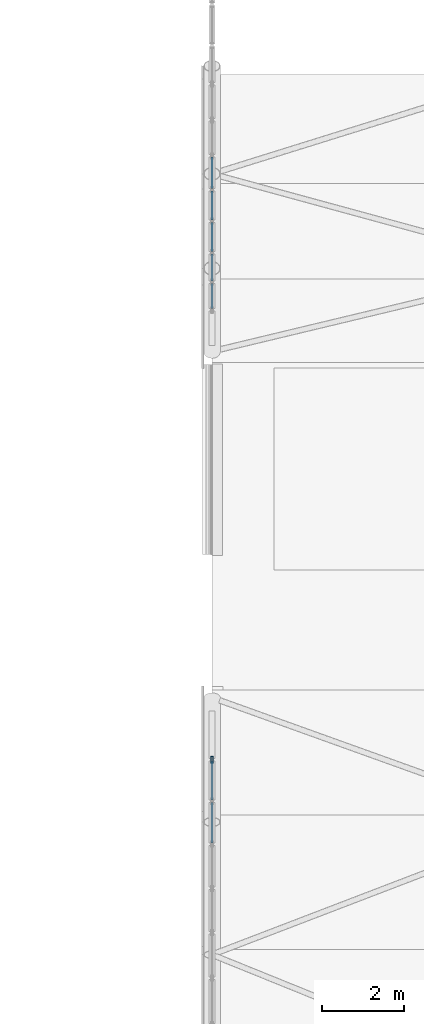
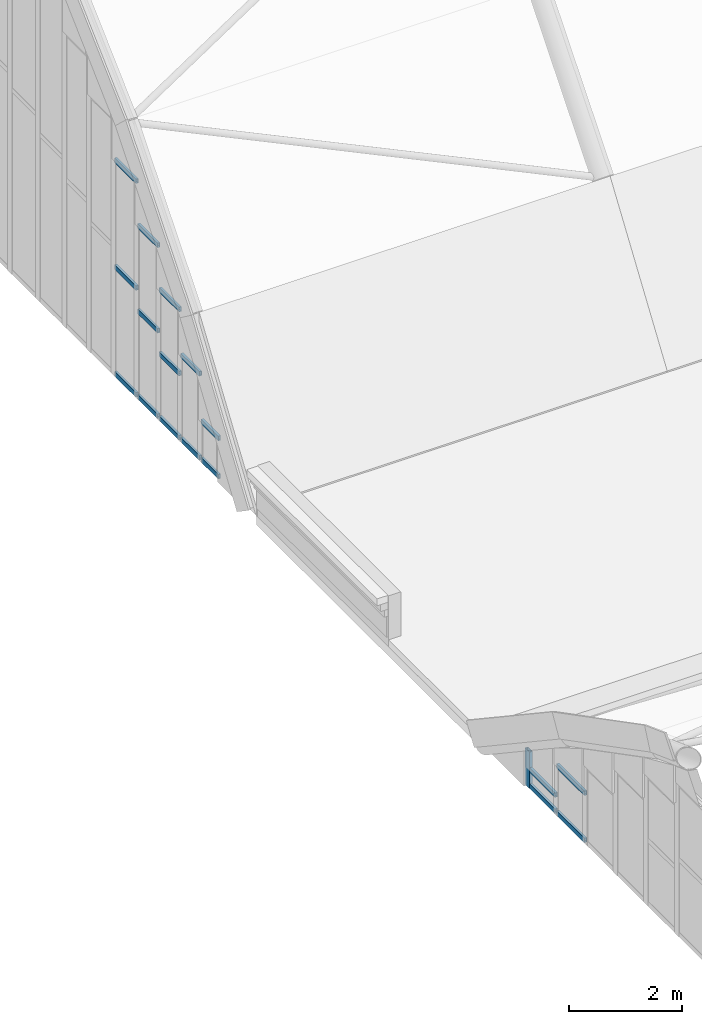
# One storey, part 46 of 77: 18 members, 2 elements without a shape of their own.
"""IFC4 building model written with IfcOpenShell, lengths in metres."""

from ifc_helpers import new_model, si_unit, direction, frame, origin, origin_2d, place, context, subcontext, project, spatial, hollow_rectangle, extrude, material, material_profile, profile_set, type_object, element, aggregate, save


model = new_model("IFC4")

# Units and contexts
model_context = context("Model", 3, precision=1e-05, world=origin(), true_north=direction((0.0, 1.0)))
body_context = subcontext(model_context, "Body", "Model", "MODEL_VIEW")
ifc_project = project(units=[si_unit("LENGTHUNIT", "METRE"), si_unit("AREAUNIT", "SQUARE_METRE"), si_unit("VOLUMEUNIT", "CUBIC_METRE"), si_unit("PLANEANGLEUNIT", "RADIAN"), si_unit("MASSUNIT", "GRAM", prefix="KILO")], contexts=[model_context])

# Site, building, storey
site_placement = place(None, origin())
site = spatial("IfcSite", under=ifc_project, at=site_placement, CompositionType="ELEMENT")
building_placement = place(site_placement, origin())
building = spatial("IfcBuilding", under=site, at=building_placement, Name="Catenary Quay Ferry Terminal", CompositionType="ELEMENT")
storey_placement = place(building_placement, frame((0.0, 0.0, 10.800048828125)))
storey = spatial("IfcBuildingStorey", under=building, at=storey_placement, Name="L02", CompositionType="ELEMENT", Elevation=10.800048828125)

# Curtain wall, members
ifc_material_1 = material(Name="Aluminium and glass", Category="aluminium")
curtain_wall_type = type_object("IfcCurtainWallType", Name="CWA", PredefinedType="NOTDEFINED", material=ifc_material_1)
curtain_wall_1_placement = place(storey_placement, origin())
curtain_wall_1 = element("IfcCurtainWall", 1, at=curtain_wall_1_placement, inside=storey, type_object=curtain_wall_type, Name="Arch arrivals hall curtain wall CW5", PredefinedType="NOTDEFINED")
ifc_material_2 = material(Name="Aluminium", Category="aluminium")
ifc_material_profile_1 = material_profile(ifc_material_2, hollow_rectangle(XDim=0.06005859375, YDim=0.159912109375, WallThickness=0.006103515625, at=origin_2d()), Name="MU5")
ifc_profile_set_1 = profile_set([ifc_material_profile_1], Name="Aluminium")
member_type_1 = type_object("IfcMemberType", Name="MU5", PredefinedType="MULLION", material=ifc_profile_set_1)
member_1_placement = place(storey_placement, frame((25.199951171875, 99.291015625, 0.0), z_axis=(0.0, 0.0, 1.0), x_axis=(-1.0, 0.0, 0.0)))
member_1 = element("IfcMember", 2, at=member_1_placement, type_object=member_type_1, Name="CW5 mullion 28", PredefinedType="MULLION", context=body_context, shape_type="SweptSolid", body=[
    extrude(hollow_rectangle(XDim=0.06005859375, YDim=0.159912109375, WallThickness=0.006103515625, at=origin_2d()), origin(), (0.0, 0.0, 1.0), 0.786376953125),
])
ifc_material_3 = material(Name="Aluminium", Category="aluminium")
ifc_material_profile_2 = material_profile(ifc_material_3, hollow_rectangle(XDim=0.050048828125, YDim=0.10009765625, WallThickness=0.00390625, at=origin_2d()), Name="TR4")
ifc_profile_set_2 = profile_set([ifc_material_profile_2], Name="Aluminium")
member_type_2 = type_object("IfcMemberType", Name="TR4", PredefinedType="USERDEFINED", material=ifc_profile_set_2)
member_2_placement = place(storey_placement, frame((25.199951171875, 97.275390625, 0.050048828125), z_axis=(0.0, 1.0, 0.0), x_axis=(-1.0, 0.0, 0.0)))
member_2 = element("IfcMember", 3, at=member_2_placement, type_object=member_type_2, Name="CW5 transom 26.1", ObjectType="TRANSOM", PredefinedType="USERDEFINED", context=body_context, shape_type="SweptSolid", body=[
    extrude(hollow_rectangle(XDim=0.050048828125, YDim=0.10009765625, WallThickness=0.00390625, at=origin_2d()), origin(), (0.0, 0.0, 1.0), 0.9794921875),
])
member_3_placement = place(storey_placement, frame((25.199951171875, 97.275390625, 1.0673828125), z_axis=(0.0, 1.0, 0.0), x_axis=(-1.0, 0.0, 0.0)))
member_3 = element("IfcMember", 4, at=member_3_placement, type_object=member_type_2, Name="CW5 transom 26.2", ObjectType="TRANSOM", PredefinedType="USERDEFINED", context=body_context, shape_type="SweptSolid", body=[
    extrude(hollow_rectangle(XDim=0.050048828125, YDim=0.10009765625, WallThickness=0.00390625, at=origin_2d()), origin(), (0.0, 0.0, 1.0), 0.9794921875),
])
member_4_placement = place(storey_placement, frame((25.199951171875, 98.31494140625, 0.050048828125), z_axis=(0.0, 1.0, 0.0), x_axis=(-1.0, 0.0, 0.0)))
member_4 = element("IfcMember", 5, at=member_4_placement, type_object=member_type_2, Name="CW5 transom 27.1", ObjectType="TRANSOM", PredefinedType="USERDEFINED", context=body_context, shape_type="SweptSolid", body=[
    extrude(hollow_rectangle(XDim=0.050048828125, YDim=0.10009765625, WallThickness=0.00390625, at=origin_2d()), origin(), (0.0, 0.0, 1.0), 0.946044921875),
])
member_5_placement = place(storey_placement, frame((25.199951171875, 98.31494140625, 0.396484375), z_axis=(0.0, 1.0, 0.0), x_axis=(-1.0, 0.0, 0.0)))
member_5 = element("IfcMember", 6, at=member_5_placement, type_object=member_type_2, Name="CW5 transom 27.2", ObjectType="TRANSOM", PredefinedType="USERDEFINED", context=body_context, shape_type="SweptSolid", body=[
    extrude(hollow_rectangle(XDim=0.050048828125, YDim=0.10009765625, WallThickness=0.00390625, at=origin_2d()), origin(), (0.0, 0.0, 1.0), 0.946044921875),
])
aggregate(curtain_wall_1, [member_1, member_2, member_3, member_4, member_5])

curtain_wall_2_placement = place(storey_placement, origin())
curtain_wall_2 = element("IfcCurtainWall", 7, at=curtain_wall_2_placement, inside=storey, type_object=curtain_wall_type, Name="Arch departure hall curtain wall CW17", PredefinedType="NOTDEFINED")
member_6_placement = place(storey_placement, frame((25.199951171875, 110.237548828125, 0.050048828125), z_axis=(0.0, 1.0, 0.0), x_axis=(-1.0, 0.0, 0.0)))
member_6 = element("IfcMember", 8, at=member_6_placement, type_object=member_type_2, Name="CW17 transom 1.1", ObjectType="TRANSOM", PredefinedType="USERDEFINED", context=body_context, shape_type="SweptSolid", body=[
    extrude(hollow_rectangle(XDim=0.050048828125, YDim=0.10009765625, WallThickness=0.00390625, at=origin_2d()), origin(), (0.0, 0.0, 1.0), 0.611572265625),
])
member_7_placement = place(storey_placement, frame((25.199951171875, 110.237548828125, 0.87548828125), z_axis=(0.0, 1.0, 0.0), x_axis=(-1.0, 0.0, 0.0)))
member_7 = element("IfcMember", 9, at=member_7_placement, type_object=member_type_2, Name="CW17 transom 1.2", ObjectType="TRANSOM", PredefinedType="USERDEFINED", context=body_context, shape_type="SweptSolid", body=[
    extrude(hollow_rectangle(XDim=0.050048828125, YDim=0.10009765625, WallThickness=0.00390625, at=origin_2d()), origin(), (0.0, 0.0, 1.0), 0.611572265625),
])
member_8_placement = place(storey_placement, frame((25.199951171875, 110.9091796875, 0.050048828125), z_axis=(0.0, 1.0, 0.0), x_axis=(-1.0, 0.0, 0.0)))
member_8 = element("IfcMember", 10, at=member_8_placement, type_object=member_type_2, Name="CW17 transom 2.1", ObjectType="TRANSOM", PredefinedType="USERDEFINED", context=body_context, shape_type="SweptSolid", body=[
    extrude(hollow_rectangle(XDim=0.050048828125, YDim=0.10009765625, WallThickness=0.00390625, at=origin_2d()), origin(), (0.0, 0.0, 1.0), 0.65771484375),
])
member_9_placement = place(storey_placement, frame((25.199951171875, 110.9091796875, 1.86572265625), z_axis=(0.0, 1.0, 0.0), x_axis=(-1.0, 0.0, 0.0)))
member_9 = element("IfcMember", 11, at=member_9_placement, type_object=member_type_2, Name="CW17 transom 2.2", ObjectType="TRANSOM", PredefinedType="USERDEFINED", context=body_context, shape_type="SweptSolid", body=[
    extrude(hollow_rectangle(XDim=0.050048828125, YDim=0.10009765625, WallThickness=0.00390625, at=origin_2d()), origin(), (0.0, 0.0, 1.0), 0.65771484375),
])
member_10_placement = place(storey_placement, frame((25.199951171875, 111.626953125, 0.050048828125), z_axis=(0.0, 1.0, 0.0), x_axis=(-1.0, 0.0, 0.0)))
member_10 = element("IfcMember", 12, at=member_10_placement, type_object=member_type_2, Name="CW17 transom 3.1", ObjectType="TRANSOM", PredefinedType="USERDEFINED", context=body_context, shape_type="SweptSolid", body=[
    extrude(hollow_rectangle(XDim=0.050048828125, YDim=0.10009765625, WallThickness=0.00390625, at=origin_2d()), origin(), (0.0, 0.0, 1.0), 0.7041015625),
])
member_11_placement = place(storey_placement, frame((25.199951171875, 111.626953125, 1.435791015625), z_axis=(0.0, 1.0, 0.0), x_axis=(-1.0, 0.0, 0.0)))
member_11 = element("IfcMember", 13, at=member_11_placement, type_object=member_type_2, Name="CW17 transom 3.2", ObjectType="TRANSOM", PredefinedType="USERDEFINED", context=body_context, shape_type="SweptSolid", body=[
    extrude(hollow_rectangle(XDim=0.050048828125, YDim=0.10009765625, WallThickness=0.00390625, at=origin_2d()), origin(), (0.0, 0.0, 1.0), 0.7041015625),
])
member_12_placement = place(storey_placement, frame((25.199951171875, 111.626953125, 2.821533203125), z_axis=(0.0, 1.0, 0.0), x_axis=(-1.0, 0.0, 0.0)))
member_12 = element("IfcMember", 14, at=member_12_placement, type_object=member_type_2, Name="CW17 transom 3.3", ObjectType="TRANSOM", PredefinedType="USERDEFINED", context=body_context, shape_type="SweptSolid", body=[
    extrude(hollow_rectangle(XDim=0.050048828125, YDim=0.10009765625, WallThickness=0.00390625, at=origin_2d()), origin(), (0.0, 0.0, 1.0), 0.7041015625),
])
member_13_placement = place(storey_placement, frame((25.199951171875, 112.39111328125, 0.050048828125), z_axis=(0.0, 1.0, 0.0), x_axis=(-1.0, 0.0, 0.0)))
member_13 = element("IfcMember", 15, at=member_13_placement, type_object=member_type_2, Name="CW17 transom 4.1", ObjectType="TRANSOM", PredefinedType="USERDEFINED", context=body_context, shape_type="SweptSolid", body=[
    extrude(hollow_rectangle(XDim=0.050048828125, YDim=0.10009765625, WallThickness=0.00390625, at=origin_2d()), origin(), (0.0, 0.0, 1.0), 0.703857421875),
])
member_14_placement = place(storey_placement, frame((25.199951171875, 112.39111328125, 1.896484375), z_axis=(0.0, 1.0, 0.0), x_axis=(-1.0, 0.0, 0.0)))
member_14 = element("IfcMember", 16, at=member_14_placement, type_object=member_type_2, Name="CW17 transom 4.2", ObjectType="TRANSOM", PredefinedType="USERDEFINED", context=body_context, shape_type="SweptSolid", body=[
    extrude(hollow_rectangle(XDim=0.050048828125, YDim=0.10009765625, WallThickness=0.00390625, at=origin_2d()), origin(), (0.0, 0.0, 1.0), 0.703857421875),
])
member_15_placement = place(storey_placement, frame((25.199951171875, 112.39111328125, 3.742919921875), z_axis=(0.0, 1.0, 0.0), x_axis=(-1.0, 0.0, 0.0)))
member_15 = element("IfcMember", 17, at=member_15_placement, type_object=member_type_2, Name="CW17 transom 4.3", ObjectType="TRANSOM", PredefinedType="USERDEFINED", context=body_context, shape_type="SweptSolid", body=[
    extrude(hollow_rectangle(XDim=0.050048828125, YDim=0.10009765625, WallThickness=0.00390625, at=origin_2d()), origin(), (0.0, 0.0, 1.0), 0.703857421875),
])
member_16_placement = place(storey_placement, frame((25.199951171875, 113.155029296875, 0.050048828125), z_axis=(0.0, 1.0, 0.0), x_axis=(-1.0, 0.0, 0.0)))
member_16 = element("IfcMember", 18, at=member_16_placement, type_object=member_type_2, Name="CW17 transom 5.1", ObjectType="TRANSOM", PredefinedType="USERDEFINED", context=body_context, shape_type="SweptSolid", body=[
    extrude(hollow_rectangle(XDim=0.050048828125, YDim=0.10009765625, WallThickness=0.00390625, at=origin_2d()), origin(), (0.0, 0.0, 1.0), 0.758544921875),
])
member_17_placement = place(storey_placement, frame((25.199951171875, 113.155029296875, 2.357177734375), z_axis=(0.0, 1.0, 0.0), x_axis=(-1.0, 0.0, 0.0)))
member_17 = element("IfcMember", 19, at=member_17_placement, type_object=member_type_2, Name="CW17 transom 5.2", ObjectType="TRANSOM", PredefinedType="USERDEFINED", context=body_context, shape_type="SweptSolid", body=[
    extrude(hollow_rectangle(XDim=0.050048828125, YDim=0.10009765625, WallThickness=0.00390625, at=origin_2d()), origin(), (0.0, 0.0, 1.0), 0.758544921875),
])
member_18_placement = place(storey_placement, frame((25.199951171875, 113.155029296875, 4.664306640625), z_axis=(0.0, 1.0, 0.0), x_axis=(-1.0, 0.0, 0.0)))
member_18 = element("IfcMember", 20, at=member_18_placement, type_object=member_type_2, Name="CW17 transom 5.3", ObjectType="TRANSOM", PredefinedType="USERDEFINED", context=body_context, shape_type="SweptSolid", body=[
    extrude(hollow_rectangle(XDim=0.050048828125, YDim=0.10009765625, WallThickness=0.00390625, at=origin_2d()), origin(), (0.0, 0.0, 1.0), 0.758544921875),
])
aggregate(curtain_wall_2, [member_6, member_7, member_8, member_9, member_10, member_11, member_12, member_13, member_14, member_15, member_16, member_17, member_18])

save(model, "model.ifc")
